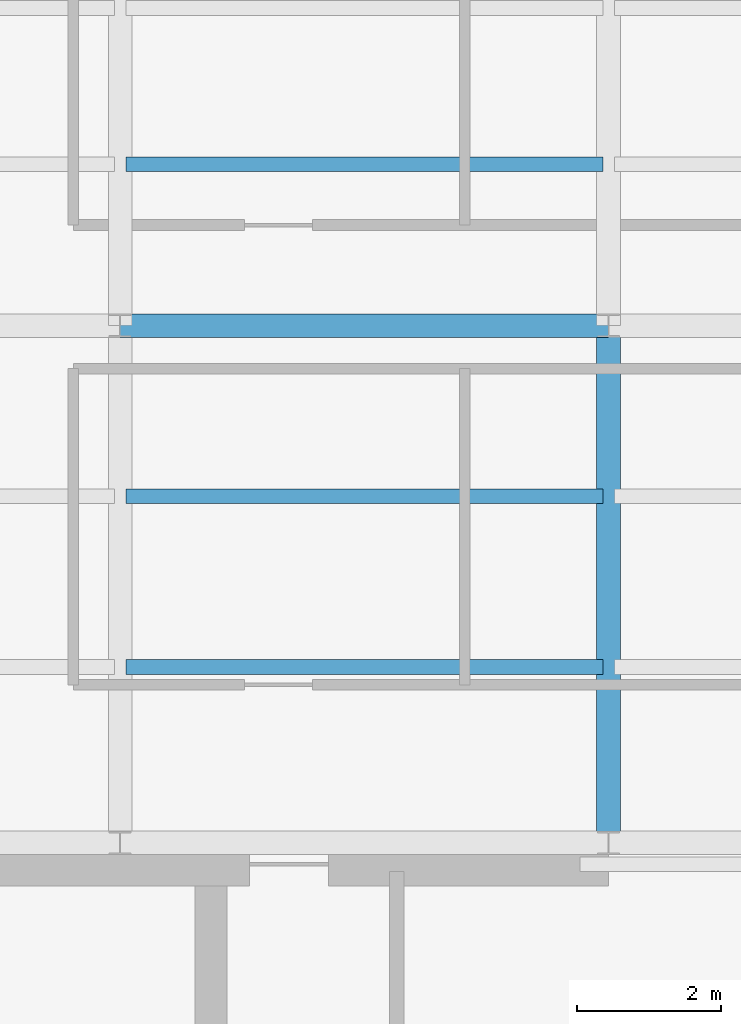
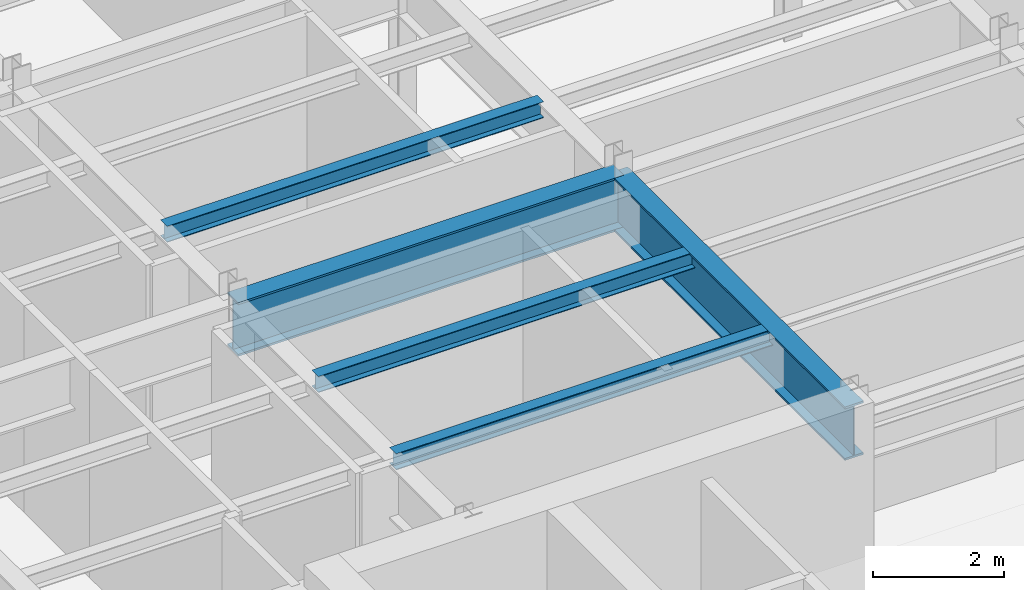
# One storey, part 6 of 24: 5 beams.
"""IFC4 building model written with IfcOpenShell, lengths in metres."""

from ifc_helpers import new_model, si_unit, derived_unit, direction, frame, origin, origin_2d, place, context, subcontext, project, spatial, i_section, extrude, source, transform, mapped, material, material_profile, profile_set, type_object, element, save


model = new_model("IFC4")

# Units and contexts
model_context = context("Model", 3, precision=1e-05, world=origin(), true_north=direction((0.0, 1.0)))
body_context = subcontext(model_context, "Body", "Model", "MODEL_VIEW")
ifc_project = project(units=[si_unit("LENGTHUNIT", "METRE"), si_unit("AREAUNIT", "SQUARE_METRE"), si_unit("VOLUMEUNIT", "CUBIC_METRE"), si_unit("PLANEANGLEUNIT", "RADIAN"), si_unit("MASSUNIT", "GRAM", prefix="KILO"), derived_unit("THERMALTRANSMITTANCEUNIT", [(si_unit("POWERUNIT", "WATT"), 1), (si_unit("LENGTHUNIT", "METRE"), -2), (si_unit("THERMODYNAMICTEMPERATUREUNIT", "KELVIN"), -1)])], contexts=[model_context])

# Site, building, storey
site_placement = place(None, origin())
site = spatial("IfcSite", under=ifc_project, at=site_placement, CompositionType="ELEMENT")
building_placement = place(site_placement, origin())
building = spatial("IfcBuilding", under=site, at=building_placement, Name="Skarnbrae Concourse Arena and Tower", CompositionType="ELEMENT")
storey_placement = place(building_placement, frame((0.0, 0.0, 288.0)))
storey = spatial("IfcBuildingStorey", under=building, at=storey_placement, Name="L75", CompositionType="ELEMENT", Elevation=288.0)

# Beams
ifc_material = material(Name="Steel CSA G40.21 350W", Category="steel")
ifc_material_profile_1 = material_profile(ifc_material, i_section(OverallWidth=0.327880859375, OverallDepth=1.0, WebThickness=0.02099609375, FlangeThickness=0.03759765625, at=origin_2d()), Name="W1000X371")
ifc_profile_set_1 = profile_set([ifc_material_profile_1], Name="Steel CSA G40.21 350W")
beam_type_1 = type_object("IfcBeamType", Name="BM-XFER-W1000X371", PredefinedType="BEAM", material=ifc_profile_set_1)
shared_shape_1 = source(origin(), body_context, "Body", "SweptSolid", [
    extrude(i_section(OverallWidth=0.327880859375, OverallDepth=1.0, WebThickness=0.02099609375, FlangeThickness=0.03759765625, at=origin_2d()), origin(), (0.0, 0.0, 1.0), 6.7998046875),
])
beam_1_placement = place(storey_placement, frame((7.60009765625, 21.199951171875, 3.35009765625), z_axis=(1.0, 0.0, 0.0), x_axis=(0.0, 1.0, 0.0)))
element("IfcBeam", 1, at=beam_1_placement, inside=storey, type_object=beam_type_1, Name="L75 Primary E-W girder Y21.2-2", PredefinedType="BEAM", context=body_context, shape_type="MappedRepresentation", body=[
    mapped(shared_shape_1, transform((0.0, 0.0, 0.0))),
])
shared_shape_2 = source(origin(), body_context, "Body", "SweptSolid", [
    extrude(i_section(OverallWidth=0.327880859375, OverallDepth=1.0, WebThickness=0.02099609375, FlangeThickness=0.03759765625, at=origin_2d()), origin(), (0.0, 0.0, 1.0), 7.199951171875),
])
beam_2_placement = place(storey_placement, frame((14.39990234375, 14.0, 3.35009765625), z_axis=(0.0, 1.0, 0.0), x_axis=(-1.0, 0.0, 0.0)))
element("IfcBeam", 2, at=beam_2_placement, inside=storey, type_object=beam_type_1, Name="L75 Primary N-S girder X14.4-1", PredefinedType="BEAM", context=body_context, shape_type="MappedRepresentation", body=[
    mapped(shared_shape_2, transform((0.0, 0.0, 0.0))),
])
ifc_material_profile_2 = material_profile(ifc_material, i_section(OverallWidth=0.202880859375, OverallDepth=0.302978515625, WebThickness=0.007568359375, FlangeThickness=0.01318359375, at=origin_2d()), Name="W310X60")
ifc_profile_set_2 = profile_set([ifc_material_profile_2], Name="Steel CSA G40.21 350W")
beam_type_2 = type_object("IfcBeamType", Name="BM-JOIST-W310X60", PredefinedType="JOIST", material=ifc_profile_set_2)
shared_shape_3 = source(origin(), body_context, "Body", "SweptSolid", [
    extrude(i_section(OverallWidth=0.202880859375, OverallDepth=0.302978515625, WebThickness=0.007568359375, FlangeThickness=0.01318359375, at=origin_2d()), origin(), (0.0, 0.0, 1.0), 6.64013671875),
])
for number, where, z_axis, x_axis, name in (
    (3, (7.679931640625, 16.447998046875, 3.698486328125), (1.0, 0.0, 0.0), (0.0, 1.0, 0.0), "L75 Secondary floor joist 1.1.2"),
    (4, (7.679931640625, 18.823974609375, 3.698486328125), (1.0, 0.0, 0.0), (0.0, 1.0, 0.0), "L75 Secondary floor joist 1.2.2"),
    (5, (7.679931640625, 23.444091796875, 3.698486328125), (1.0, 0.0, 0.0), (0.0, 1.0, 0.0), "L75 Secondary floor joist 2.1.2"),
):
    element("IfcBeam", number, at=place(storey_placement, frame(where, z_axis=z_axis, x_axis=x_axis)), inside=storey, type_object=beam_type_2, Name=name, PredefinedType="JOIST", context=body_context, shape_type="MappedRepresentation", body=[
        mapped(shared_shape_3, transform((0.0, 0.0, 0.0))),
    ])

save(model, "model.ifc")
